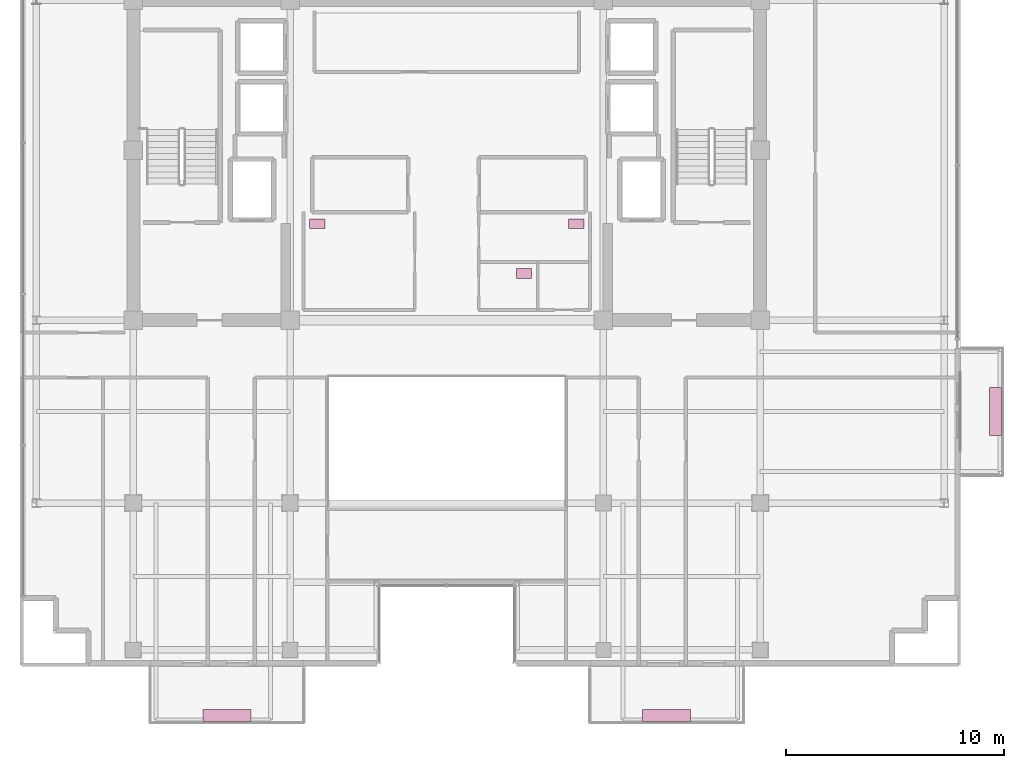
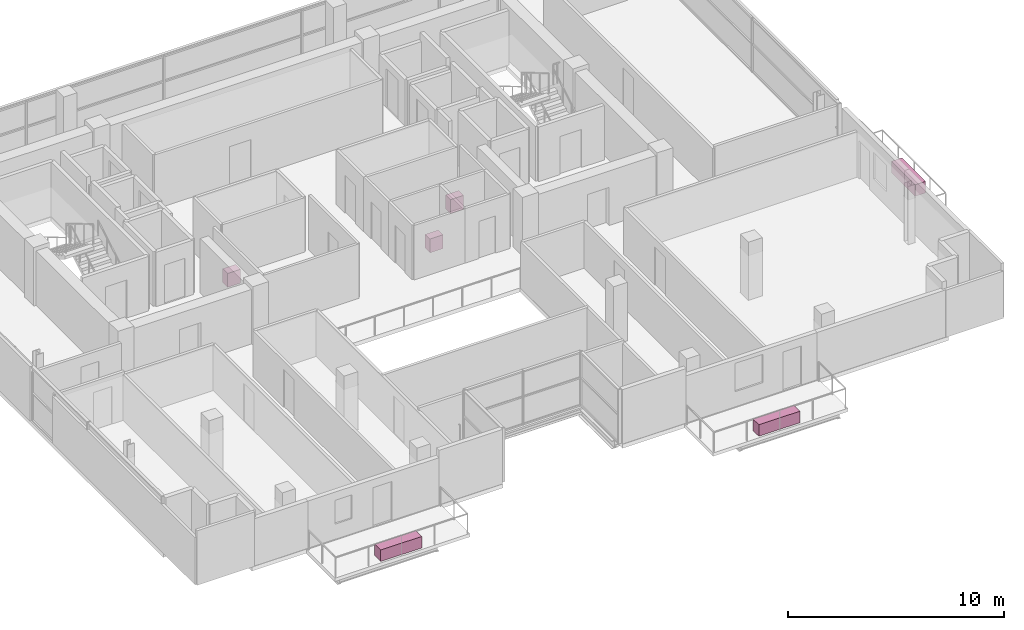
# One storey, part 22 of 22: 6 furnishings.
"""IFC4 building model written with IfcOpenShell, lengths in metres."""

from ifc_helpers import new_model, si_unit, direction, frame, origin, origin_2d, place, context, subcontext, project, spatial, rectangle, extrude, source, transform, mapped, material, type_object, element, save


model = new_model("IFC4")

# Units and contexts
model_context = context("Model", 3, precision=1e-05, world=origin(), true_north=direction((0.0, 1.0)))
body_context = subcontext(model_context, "Body", "Model", "MODEL_VIEW")
ifc_project = project(units=[si_unit("LENGTHUNIT", "METRE"), si_unit("AREAUNIT", "SQUARE_METRE"), si_unit("VOLUMEUNIT", "CUBIC_METRE"), si_unit("PLANEANGLEUNIT", "RADIAN"), si_unit("MASSUNIT", "GRAM", prefix="KILO")], contexts=[model_context])

# Site, building, storey
site_placement = place(None, origin())
site = spatial("IfcSite", under=ifc_project, at=site_placement, CompositionType="ELEMENT")
building_placement = place(site_placement, origin())
building = spatial("IfcBuilding", under=site, at=building_placement, Name="Zarnakvel Exchange Tower", CompositionType="ELEMENT")
storey_placement = place(building_placement, frame((0.0, 0.0, 238.60009765625)))
storey = spatial("IfcBuildingStorey", under=building, at=storey_placement, Name="L67", CompositionType="ELEMENT", Elevation=238.60009765625)

# Furnishings
ifc_material_1 = material(Name="Architectural Bronze Anodised Aluminium", Category="aluminium")
furnishing_element_type_1 = type_object("IfcFurnishingElementType", Name="PLNT-01", material=ifc_material_1)
shared_shape_1 = source(origin(), body_context, "Body", "SweptSolid", [
    extrude(rectangle(XDim=2.199951171875, YDim=0.550048828125, at=origin_2d()), origin(), (0.0, 0.0, 1.0), 0.64990234375),
])
for number, where, z_axis, x_axis, name in (
    (1, (-10.10009765625, -19.3701171875, -0.03515625), (0.0, 0.0, 1.0), (1.0, 0.0, 0.0), "L67 Balcony Greenery Planter BAL-L67-SW"),
    (2, (10.10009765625, -19.3701171875, -0.03515625), (0.0, 0.0, 1.0), (1.0, 0.0, 0.0), "L67 Balcony Greenery Planter BAL-L67-SE"),
    (3, (25.219970703125, -5.39990234375, -0.03515625), (0.0, 0.0, 1.0), (0.0, 1.0, 0.0), "L67 Balcony Greenery Planter BAL-L67-E"),
):
    element("IfcFurnishingElement", number, at=place(storey_placement, frame(where, z_axis=z_axis, x_axis=x_axis)), inside=storey, type_object=furnishing_element_type_1, Name=name, ObjectType="PLANTER", context=body_context, shape_type="MappedRepresentation", body=[
        mapped(shared_shape_1, transform((0.0, 0.0, 0.0), x_axis=(1.0, 0.0, 0.0), y_axis=(0.0, 1.0, 0.0), z_axis=(0.0, 0.0, 1.0), scale=1.0)),
    ])
ifc_material_2 = material(Name="Vitreous China Sanitaryware", Category="ceramic")
furnishing_element_type_2 = type_object("IfcFurnishingElementType", Name="SAN-WC", material=ifc_material_2)
shared_shape_2 = source(origin(), body_context, "Body", "SweptSolid", [
    extrude(rectangle(XDim=0.699951171875, YDim=0.449951171875, at=origin_2d()), origin(), (0.0, 0.0, 1.0), 0.780029296875),
])
for number, where, z_axis, x_axis, name in (
    (4, (-5.949951171875, 3.22998046875, 0.0), (0.0, 0.0, 1.0), (1.0, 0.0, 0.0), "L67 Sanitary Fixture (Male Toilet)"),
    (5, (5.949951171875, 3.22998046875, 0.0), (0.0, 0.0, 1.0), (1.0, 0.0, 0.0), "L67 Sanitary Fixture (Female Toilet)"),
    (6, (3.550048828125, 0.949951171875, 0.0), (0.0, 0.0, 1.0), (1.0, 0.0, 0.0), "L67 Sanitary Fixture (Accessible Toilet)"),
):
    element("IfcFurnishingElement", number, at=place(storey_placement, frame(where, z_axis=z_axis, x_axis=x_axis)), inside=storey, type_object=furnishing_element_type_2, Name=name, ObjectType="SANITARY_FIXTURE", context=body_context, shape_type="MappedRepresentation", body=[
        mapped(shared_shape_2, transform((0.0, 0.0, 0.0), x_axis=(1.0, 0.0, 0.0), y_axis=(0.0, 1.0, 0.0), z_axis=(0.0, 0.0, 1.0), scale=1.0)),
    ])

save(model, "model.ifc")
